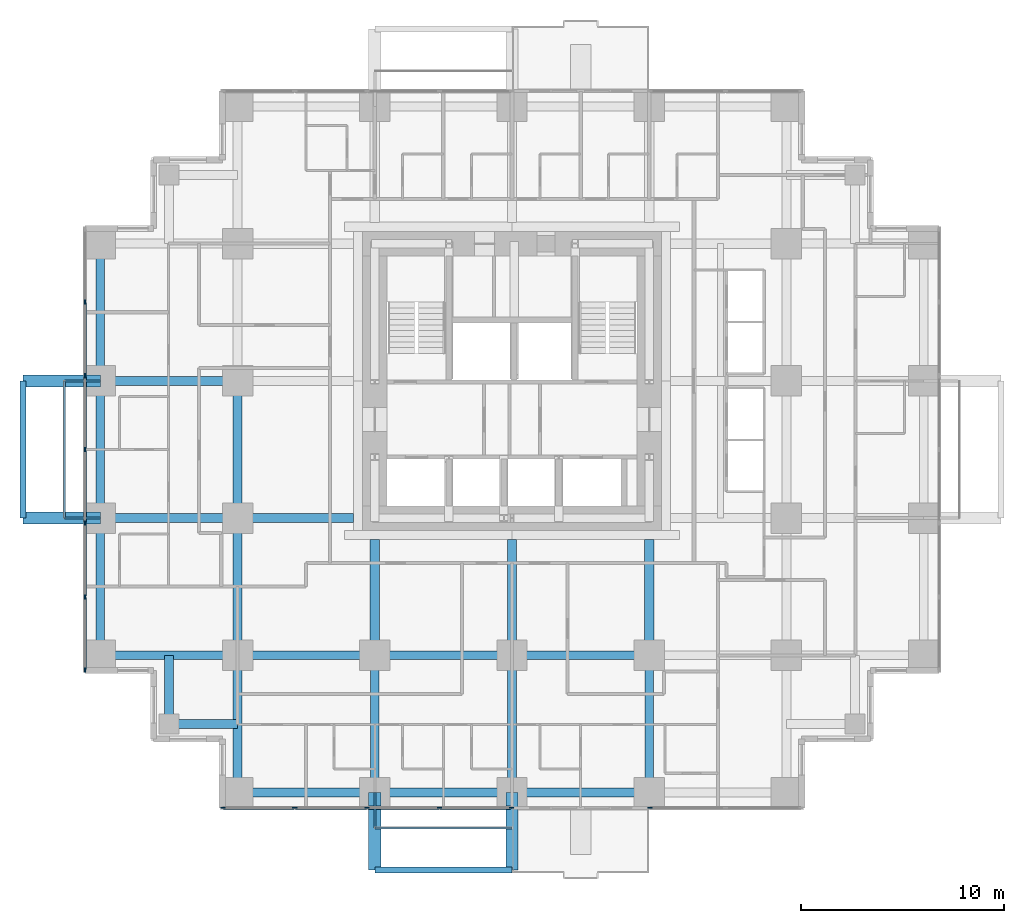
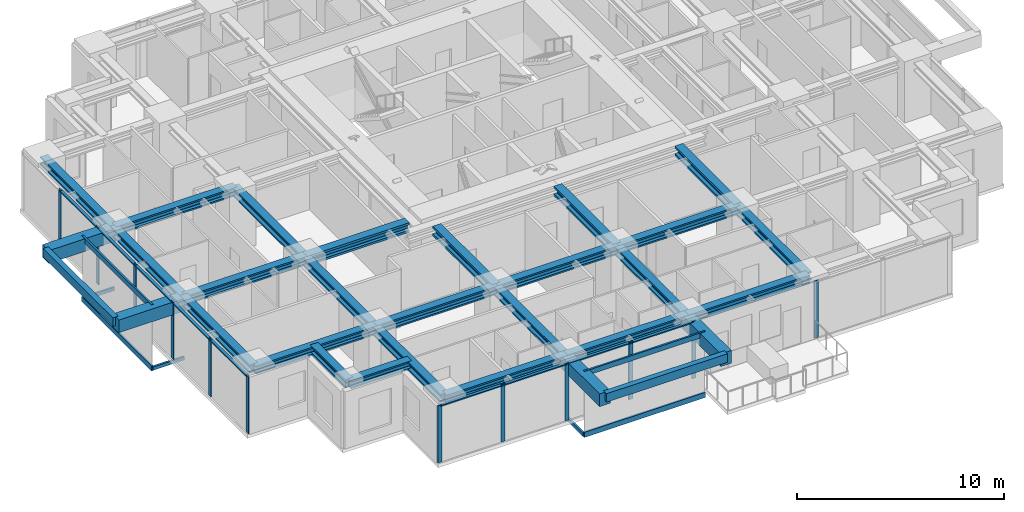
# One storey, part 2 of 12: 30 beams, 28 members, 3 elements without a shape of their own.
"""IFC4 building model written with IfcOpenShell, lengths in metres."""

from ifc_helpers import new_model, si_unit, direction, frame, origin, origin_2d, place, context, subcontext, project, spatial, rectangle, hollow_rectangle, i_section, extrude, material, material_profile, profile_set, type_object, element, aggregate, save


model = new_model("IFC4")

# Units and contexts
model_context = context("Model", 3, precision=1e-05, world=origin(), true_north=direction((0.0, 1.0)))
body_context = subcontext(model_context, "Body", "Model", "MODEL_VIEW")
ifc_project = project(units=[si_unit("LENGTHUNIT", "METRE"), si_unit("AREAUNIT", "SQUARE_METRE"), si_unit("VOLUMEUNIT", "CUBIC_METRE"), si_unit("PLANEANGLEUNIT", "RADIAN"), si_unit("MASSUNIT", "GRAM", prefix="KILO")], contexts=[model_context])

# Site, building, storey
site_placement = place(None, origin())
site = spatial("IfcSite", under=ifc_project, at=site_placement, CompositionType="ELEMENT")
building_placement = place(site_placement, origin())
building = spatial("IfcBuilding", under=site, at=building_placement, Name="Nyansa Garden Tower", CompositionType="ELEMENT")
storey_placement = place(building_placement, frame((0.0, 0.0, 119.699951171875)))
storey = spatial("IfcBuildingStorey", under=building, at=storey_placement, Name="L32", CompositionType="ELEMENT", Elevation=119.699951171875)

# Beams
ifc_material_1 = material(Name="Concrete C70/85", Category="concrete")
ifc_material_profile_1 = material_profile(ifc_material_1, rectangle(XDim=0.60009765625, YDim=0.75, at=origin_2d()), Name="RC 600x750")
ifc_profile_set_1 = profile_set([ifc_material_profile_1], Name="Concrete C70/85")
beam_type_1 = type_object("IfcBeamType", Name="Balcony cantilever beam CB1 RC 600x750", PredefinedType="BEAM", material=ifc_profile_set_1)
for number, where, z_axis, x_axis, name in (
    (1, (13.5, 0.0, 2.985107421875), (0.0, -1.0, 0.0), (1.0, 0.0, 0.0), "Balcony cantilever beam L33"),
    (2, (20.25, 0.0, 2.985107421875), (0.0, -1.0, 0.0), (1.0, 0.0, 0.0), "Balcony cantilever beam L33"),
    (3, (0.0, 13.5, 2.985107421875), (-1.0, 0.0, 0.0), (0.0, -1.0, 0.0), "Balcony cantilever beam L33"),
    (4, (0.0, 20.25, 2.985107421875), (-1.0, 0.0, 0.0), (0.0, -1.0, 0.0), "Balcony cantilever beam L33"),
):
    element("IfcBeam", number, at=place(storey_placement, frame(where, z_axis=z_axis, x_axis=x_axis)), inside=storey, type_object=beam_type_1, Name=name, PredefinedType="BEAM", context=body_context, shape_type="SweptSolid", body=[
        extrude(rectangle(XDim=0.60009765625, YDim=0.75, at=origin_2d()), origin(), (0.0, 0.0, 1.0), 3.800048828125),
    ])
ifc_material_2 = material(Name="Concrete C70/85", Category="concrete")
ifc_material_profile_2 = material_profile(ifc_material_2, rectangle(XDim=0.300048828125, YDim=0.5, at=origin_2d()), Name="RC 300x500")
ifc_profile_set_2 = profile_set([ifc_material_profile_2], Name="Concrete C70/85")
beam_type_2 = type_object("IfcBeamType", Name="Balcony edge beam BE1 RC 300x500", PredefinedType="BEAM", material=ifc_profile_set_2)
for number, where, z_axis, x_axis, name in (
    (5, (13.5, -3.800048828125, 3.110107421875), (1.0, 0.0, 0.0), (0.0, 1.0, 0.0), "Balcony edge beam L33"),
    (6, (-3.800048828125, 13.5, 3.110107421875), (0.0, 1.0, 0.0), (-1.0, 0.0, 0.0), "Balcony edge beam L33"),
):
    element("IfcBeam", number, at=place(storey_placement, frame(where, z_axis=z_axis, x_axis=x_axis)), inside=storey, type_object=beam_type_2, Name=name, PredefinedType="BEAM", context=body_context, shape_type="SweptSolid", body=[
        extrude(rectangle(XDim=0.300048828125, YDim=0.5, at=origin_2d()), origin(), (0.0, 0.0, 1.0), 6.75),
    ])

# Curtain wall, members
ifc_material_3 = material(Name="Black anodised aluminium, dark tinted double glazing", Category="aluminium")
curtain_wall_type = type_object("IfcCurtainWallType", Name="Inner skin curtain wall ISW-B", PredefinedType="USERDEFINED", material=ifc_material_3)
curtain_wall_1_placement = place(storey_placement, origin())
curtain_wall_1 = element("IfcCurtainWall", 7, at=curtain_wall_1_placement, inside=storey, type_object=curtain_wall_type, Name="Inner skin curtain wall L32 W", ObjectType="UNITISED CURTAIN WALL", PredefinedType="USERDEFINED")
ifc_material_4 = material(Name="Black anodised aluminium", Category="aluminium")
ifc_material_profile_3 = material_profile(ifc_material_4, rectangle(XDim=0.06494140625, YDim=0.22509765625, at=origin_2d()), Name="Mullion 225x65")
ifc_profile_set_3 = profile_set([ifc_material_profile_3], Name="Black anodised aluminium")
member_type_1 = type_object("IfcMemberType", Name="Mullion ISW-B 225x65", PredefinedType="MULLION", material=ifc_profile_set_3)
member_1_placement = place(storey_placement, frame((-0.75, 24.125, 0.0), z_axis=(0.0, 0.0, 1.0), x_axis=(1.0, 0.0, 0.0)))
member_1 = element("IfcMember", 8, at=member_1_placement, type_object=member_type_1, Name="ISW-B mullion 2", PredefinedType="MULLION", context=body_context, shape_type="SweptSolid", body=[
    extrude(rectangle(XDim=0.06494140625, YDim=0.22509765625, at=origin_2d()), origin(), (0.0, 0.0, 1.0), 3.375),
])
member_2_placement = place(storey_placement, frame((-0.75, 20.5, 0.0), z_axis=(0.0, 0.0, 1.0), x_axis=(1.0, 0.0, 0.0)))
member_2 = element("IfcMember", 9, at=member_2_placement, type_object=member_type_1, Name="ISW-B mullion 3", PredefinedType="MULLION", context=body_context, shape_type="SweptSolid", body=[
    extrude(rectangle(XDim=0.06494140625, YDim=0.22509765625, at=origin_2d()), origin(), (0.0, 0.0, 1.0), 3.375),
])
member_3_placement = place(storey_placement, frame((-0.75, 16.875, 0.0), z_axis=(0.0, 0.0, 1.0), x_axis=(1.0, 0.0, 0.0)))
member_3 = element("IfcMember", 10, at=member_3_placement, type_object=member_type_1, Name="ISW-B mullion 4", PredefinedType="MULLION", context=body_context, shape_type="SweptSolid", body=[
    extrude(rectangle(XDim=0.06494140625, YDim=0.22509765625, at=origin_2d()), origin(), (0.0, 0.0, 1.0), 3.375),
])
member_4_placement = place(storey_placement, frame((-0.75, 13.25, 0.0), z_axis=(0.0, 0.0, 1.0), x_axis=(1.0, 0.0, 0.0)))
member_4 = element("IfcMember", 11, at=member_4_placement, type_object=member_type_1, Name="ISW-B mullion 5", PredefinedType="MULLION", context=body_context, shape_type="SweptSolid", body=[
    extrude(rectangle(XDim=0.06494140625, YDim=0.22509765625, at=origin_2d()), origin(), (0.0, 0.0, 1.0), 3.375),
])
member_5_placement = place(storey_placement, frame((-0.75, 9.625, 0.0), z_axis=(0.0, 0.0, 1.0), x_axis=(1.0, 0.0, 0.0)))
member_5 = element("IfcMember", 12, at=member_5_placement, type_object=member_type_1, Name="ISW-B mullion 6", PredefinedType="MULLION", context=body_context, shape_type="SweptSolid", body=[
    extrude(rectangle(XDim=0.06494140625, YDim=0.22509765625, at=origin_2d()), origin(), (0.0, 0.0, 1.0), 3.375),
])
member_6_placement = place(storey_placement, frame((-0.75, 6.032470703125, 0.0), z_axis=(0.0, 0.0, 1.0), x_axis=(1.0, 0.0, 0.0)))
member_6 = element("IfcMember", 13, at=member_6_placement, type_object=member_type_1, Name="ISW-B mullion 7", PredefinedType="MULLION", context=body_context, shape_type="SweptSolid", body=[
    extrude(rectangle(XDim=0.06494140625, YDim=0.22509765625, at=origin_2d()), origin(), (0.0, 0.0, 1.0), 3.375),
])

curtain_wall_2_placement = place(storey_placement, origin())
curtain_wall_2 = element("IfcCurtainWall", 14, at=curtain_wall_2_placement, inside=storey, type_object=curtain_wall_type, Name="Inner skin curtain wall L32 S", ObjectType="UNITISED CURTAIN WALL", PredefinedType="USERDEFINED")
member_7_placement = place(storey_placement, frame((6.032470703125, -0.75, 0.0), z_axis=(0.0, 0.0, 1.0), x_axis=(0.0, 1.0, 0.0)))
member_7 = element("IfcMember", 15, at=member_7_placement, type_object=member_type_1, Name="ISW-B mullion 1", PredefinedType="MULLION", context=body_context, shape_type="SweptSolid", body=[
    extrude(rectangle(XDim=0.06494140625, YDim=0.22509765625, at=origin_2d()), origin(), (0.0, 0.0, 1.0), 3.375),
])
member_8_placement = place(storey_placement, frame((9.5625, -0.75, 0.0), z_axis=(0.0, 0.0, 1.0), x_axis=(0.0, 1.0, 0.0)))
member_8 = element("IfcMember", 16, at=member_8_placement, type_object=member_type_1, Name="ISW-B mullion 2", PredefinedType="MULLION", context=body_context, shape_type="SweptSolid", body=[
    extrude(rectangle(XDim=0.06494140625, YDim=0.22509765625, at=origin_2d()), origin(), (0.0, 0.0, 1.0), 3.375),
])
member_9_placement = place(storey_placement, frame((13.125, -0.75, 0.0), z_axis=(0.0, 0.0, 1.0), x_axis=(0.0, 1.0, 0.0)))
member_9 = element("IfcMember", 17, at=member_9_placement, type_object=member_type_1, Name="ISW-B mullion 3", PredefinedType="MULLION", context=body_context, shape_type="SweptSolid", body=[
    extrude(rectangle(XDim=0.06494140625, YDim=0.22509765625, at=origin_2d()), origin(), (0.0, 0.0, 1.0), 3.375),
])
member_10_placement = place(storey_placement, frame((16.6875, -0.75, 0.0), z_axis=(0.0, 0.0, 1.0), x_axis=(0.0, 1.0, 0.0)))
member_10 = element("IfcMember", 18, at=member_10_placement, type_object=member_type_1, Name="ISW-B mullion 4", PredefinedType="MULLION", context=body_context, shape_type="SweptSolid", body=[
    extrude(rectangle(XDim=0.06494140625, YDim=0.22509765625, at=origin_2d()), origin(), (0.0, 0.0, 1.0), 3.375),
])
member_11_placement = place(storey_placement, frame((20.217529296875, -0.75, 0.0), z_axis=(0.0, 0.0, 1.0), x_axis=(0.0, 1.0, 0.0)))
member_11 = element("IfcMember", 19, at=member_11_placement, type_object=member_type_1, Name="ISW-B mullion 5", PredefinedType="MULLION", context=body_context, shape_type="SweptSolid", body=[
    extrude(rectangle(XDim=0.06494140625, YDim=0.22509765625, at=origin_2d()), origin(), (0.0, 0.0, 1.0), 3.375),
])

# Curtain wall, member
curtain_wall_3_placement = place(storey_placement, origin())
curtain_wall_3 = element("IfcCurtainWall", 20, at=curtain_wall_3_placement, inside=storey, type_object=curtain_wall_type, Name="Inner skin curtain wall L32 S", ObjectType="UNITISED CURTAIN WALL", PredefinedType="USERDEFINED")
member_12_placement = place(storey_placement, frame((27.032470703125, -0.75, 0.0), z_axis=(0.0, 0.0, 1.0), x_axis=(0.0, 1.0, 0.0)))
member_12 = element("IfcMember", 21, at=member_12_placement, type_object=member_type_1, Name="ISW-B mullion 1", PredefinedType="MULLION", context=body_context, shape_type="SweptSolid", body=[
    extrude(rectangle(XDim=0.06494140625, YDim=0.22509765625, at=origin_2d()), origin(), (0.0, 0.0, 1.0), 3.375),
])
aggregate(curtain_wall_3, [member_12])

# Members
ifc_material_5 = material(Name="Steel S355, black powder coated", Category="steel")
ifc_material_profile_4 = material_profile(ifc_material_5, hollow_rectangle(XDim=0.10009765625, YDim=0.199951171875, WallThickness=0.008056640625, at=origin_2d()), Name="RHS 200x100x8")
ifc_profile_set_4 = profile_set([ifc_material_profile_4], Name="Steel S355, black powder coated")
member_type_2 = type_object("IfcMemberType", Name="Outer skin bracket arm RHS 200x100x8", PredefinedType="USERDEFINED", material=ifc_profile_set_4)
for number, where, z_axis, x_axis, name in (
    (22, (0.0, 13.5, -0.375), (-1.0, 0.0, 0.0), (0.0, -1.0, 0.0), "Outer skin bracket arm"),
    (23, (0.0, 20.25, -0.375), (-1.0, 0.0, 0.0), (0.0, -1.0, 0.0), "Outer skin bracket arm"),
    (24, (13.5, 0.0, -0.375), (0.0, -1.0, 0.0), (1.0, 0.0, 0.0), "Outer skin bracket arm"),
):
    element("IfcMember", number, at=place(storey_placement, frame(where, z_axis=z_axis, x_axis=x_axis)), inside=storey, type_object=member_type_2, Name=name, ObjectType="OUTER SKIN BRACKET", PredefinedType="USERDEFINED", context=body_context, shape_type="SweptSolid", body=[
        extrude(hollow_rectangle(XDim=0.10009765625, YDim=0.199951171875, WallThickness=0.008056640625, at=origin_2d()), origin(), (0.0, 0.0, 1.0), 1.75),
    ])
ifc_material_6 = material(Name="Steel S355, black powder coated", Category="steel")
ifc_material_profile_5 = material_profile(ifc_material_6, hollow_rectangle(XDim=0.10009765625, YDim=0.300048828125, WallThickness=0.010009765625, at=origin_2d()), Name="RHS 300x100x10")
ifc_profile_set_5 = profile_set([ifc_material_profile_5], Name="Steel S355, black powder coated")
member_type_3 = type_object("IfcMemberType", Name="Outer skin rail RHS 300x100x10", PredefinedType="USERDEFINED", material=ifc_profile_set_5)
for number, where, z_axis, x_axis, name in (
    (25, (-1.75, 13.5, -0.375), (0.0, 1.0, 0.0), (-1.0, 0.0, 0.0), "Outer skin rail L32"),
    (26, (-1.75, 13.5, 3.22509765625), (0.0, 1.0, 0.0), (-1.0, 0.0, 0.0), "Outer skin rail L32 head"),
    (27, (13.5, -1.75, -0.375), (1.0, 0.0, 0.0), (0.0, 1.0, 0.0), "Outer skin rail L32"),
    (28, (13.5, -1.75, 3.22509765625), (1.0, 0.0, 0.0), (0.0, 1.0, 0.0), "Outer skin rail L32 head"),
):
    element("IfcMember", number, at=place(storey_placement, frame(where, z_axis=z_axis, x_axis=x_axis)), inside=storey, type_object=member_type_3, Name=name, ObjectType="OUTER SKIN RAIL", PredefinedType="USERDEFINED", context=body_context, shape_type="SweptSolid", body=[
        extrude(hollow_rectangle(XDim=0.10009765625, YDim=0.300048828125, WallThickness=0.010009765625, at=origin_2d()), origin(), (0.0, 0.0, 1.0), 6.75),
    ])

# Beams
ifc_material_7 = material(Name="Steel S355", Category="steel")
ifc_material_profile_6 = material_profile(ifc_material_7, i_section(OverallWidth=0.431884765625, OverallDepth=0.498046875, WebThickness=0.0556640625, FlangeThickness=0.0888671875, FilletRadius=0.014892578125, at=origin_2d()), Name="HD 400x744")
ifc_profile_set_6 = profile_set([ifc_material_profile_6], Name="Steel S355")
beam_type_3 = type_object("IfcBeamType", Name="Steel beam SBB1-744 HD 400x744", PredefinedType="BEAM", material=ifc_profile_set_6)
for number, where, z_axis, x_axis, name in (
    (29, (0.0, 6.75, 3.1259765625), (1.0, 0.0, 0.0), (0.0, 1.0, 0.0), "Steel beam 2/E-3/E L33"),
    (30, (0.0, 13.5, 3.1259765625), (1.0, 0.0, 0.0), (0.0, 1.0, 0.0), "Steel beam 2/F-3/F L33"),
    (31, (0.0, 20.25, 3.1259765625), (1.0, 0.0, 0.0), (0.0, 1.0, 0.0), "Steel beam 2/G-3/G L33"),
    (32, (6.75, 0.0, 3.1259765625), (0.0, 1.0, 0.0), (-1.0, 0.0, 0.0), "Steel beam 3/D-3/E L33"),
    (33, (6.75, 6.75, 3.1259765625), (0.0, 1.0, 0.0), (-1.0, 0.0, 0.0), "Steel beam 3/E-3/F L33"),
    (34, (6.75, 6.75, 3.1259765625), (1.0, 0.0, 0.0), (0.0, 1.0, 0.0), "Steel beam 3/E-4/E L33"),
    (35, (6.75, 13.5, 3.1259765625), (0.0, 1.0, 0.0), (-1.0, 0.0, 0.0), "Steel beam 3/F-3/G L33"),
    (36, (13.5, 0.0, 3.1259765625), (0.0, 1.0, 0.0), (-1.0, 0.0, 0.0), "Steel beam 4/D-4/E L33"),
    (37, (13.5, 6.75, 3.1259765625), (1.0, 0.0, 0.0), (0.0, 1.0, 0.0), "Steel beam 4/E-5/E L33"),
    (38, (20.25, 0.0, 3.1259765625), (0.0, 1.0, 0.0), (-1.0, 0.0, 0.0), "Steel beam 5/D-5/E L33"),
    (39, (20.25, 6.75, 3.1259765625), (1.0, 0.0, 0.0), (0.0, 1.0, 0.0), "Steel beam 5/E-6/E L33"),
    (40, (27.0, 0.0, 3.1259765625), (0.0, 1.0, 0.0), (-1.0, 0.0, 0.0), "Steel beam 6/D-6/E L33"),
):
    element("IfcBeam", number, at=place(storey_placement, frame(where, z_axis=z_axis, x_axis=x_axis)), inside=storey, type_object=beam_type_3, Name=name, PredefinedType="BEAM", context=body_context, shape_type="SweptSolid", body=[
        extrude(i_section(OverallWidth=0.431884765625, OverallDepth=0.498046875, WebThickness=0.0556640625, FlangeThickness=0.0888671875, FilletRadius=0.014892578125, at=origin_2d()), origin(), (0.0, 0.0, 1.0), 6.75),
    ])
ifc_material_8 = material(Name="Steel S355", Category="steel")
ifc_material_profile_7 = material_profile(ifc_material_8, i_section(OverallWidth=0.4541015625, OverallDepth=0.569091796875, WebThickness=0.077880859375, FlangeThickness=0.125, FilletRadius=0.014892578125, at=origin_2d()), Name="HD 400x1086")
ifc_profile_set_7 = profile_set([ifc_material_profile_7], Name="Steel S355")
beam_type_4 = type_object("IfcBeamType", Name="Steel beam SCL-1086 HD 400x1086", PredefinedType="BEAM", material=ifc_profile_set_7)
for number, where, z_axis, x_axis, name in (
    (41, (6.75, 13.5, 3.090576171875), (1.0, 0.0, 0.0), (0.0, 1.0, 0.0), "Steel beam 3/F-12.450/F L33"),
    (42, (13.5, 6.75, 3.090576171875), (0.0, 1.0, 0.0), (-1.0, 0.0, 0.0), "Steel beam 4/E-4/12.450 L33"),
    (43, (20.25, 6.75, 3.090576171875), (0.0, 1.0, 0.0), (-1.0, 0.0, 0.0), "Steel beam 5/E-5/12.450 L33"),
    (44, (27.0, 6.75, 3.090576171875), (0.0, 1.0, 0.0), (-1.0, 0.0, 0.0), "Steel beam 6/E-6/12.450 L33"),
):
    element("IfcBeam", number, at=place(storey_placement, frame(where, z_axis=z_axis, x_axis=x_axis)), inside=storey, type_object=beam_type_4, Name=name, PredefinedType="BEAM", context=body_context, shape_type="SweptSolid", body=[
        extrude(i_section(OverallWidth=0.4541015625, OverallDepth=0.569091796875, WebThickness=0.077880859375, FlangeThickness=0.125, FilletRadius=0.014892578125, at=origin_2d()), origin(), (0.0, 0.0, 1.0), 5.699951171875),
    ])
ifc_material_9 = material(Name="Steel S355", Category="steel")
ifc_material_profile_8 = material_profile(ifc_material_9, i_section(OverallWidth=0.431884765625, OverallDepth=0.498046875, WebThickness=0.0556640625, FlangeThickness=0.0888671875, FilletRadius=0.014892578125, at=origin_2d()), Name="HD 400x744")
ifc_profile_set_8 = profile_set([ifc_material_profile_8], Name="Steel S355")
beam_type_5 = type_object("IfcBeamType", Name="Steel beam SEBB-744 HD 400x744", PredefinedType="BEAM", material=ifc_profile_set_8)
for number, where, z_axis, x_axis, name in (
    (45, (0.0, 6.75, 3.1259765625), (0.0, 1.0, 0.0), (-1.0, 0.0, 0.0), "Steel edge beam 2/E-2/F L33"),
    (46, (0.0, 13.5, 3.1259765625), (0.0, 1.0, 0.0), (-1.0, 0.0, 0.0), "Steel edge beam 2/F-2/G L33"),
    (47, (0.0, 20.25, 3.1259765625), (0.0, 1.0, 0.0), (-1.0, 0.0, 0.0), "Steel edge beam 2/G-2/H L33"),
    (48, (6.75, 0.0, 3.1259765625), (1.0, 0.0, 0.0), (0.0, 1.0, 0.0), "Steel edge beam 3/D-4/D L33"),
    (49, (13.5, 0.0, 3.1259765625), (1.0, 0.0, 0.0), (0.0, 1.0, 0.0), "Steel edge beam 4/D-5/D L33"),
    (50, (20.25, 0.0, 3.1259765625), (1.0, 0.0, 0.0), (0.0, 1.0, 0.0), "Steel edge beam 5/D-6/D L33"),
):
    element("IfcBeam", number, at=place(storey_placement, frame(where, z_axis=z_axis, x_axis=x_axis)), inside=storey, type_object=beam_type_5, Name=name, PredefinedType="BEAM", context=body_context, shape_type="SweptSolid", body=[
        extrude(i_section(OverallWidth=0.431884765625, OverallDepth=0.498046875, WebThickness=0.0556640625, FlangeThickness=0.0888671875, FilletRadius=0.014892578125, at=origin_2d()), origin(), (0.0, 0.0, 1.0), 6.75),
    ])
ifc_material_10 = material(Name="Steel S355", Category="steel")
ifc_material_profile_9 = material_profile(ifc_material_10, i_section(OverallWidth=0.431884765625, OverallDepth=0.498046875, WebThickness=0.0556640625, FlangeThickness=0.0888671875, FilletRadius=0.014892578125, at=origin_2d()), Name="HD 400x744")
ifc_profile_set_9 = profile_set([ifc_material_profile_9], Name="Steel S355")
beam_type_6 = type_object("IfcBeamType", Name="Steel beam SSB1-744 HD 400x744", PredefinedType="BEAM", material=ifc_profile_set_9)
for number, where, z_axis, x_axis, name in (
    (51, (3.375, 3.375, 3.1259765625), (0.0, 1.0, 0.0), (-1.0, 0.0, 0.0), "Steel step beam 3.375/3.375 L33"),
    (52, (3.375, 3.375, 3.1259765625), (1.0, 0.0, 0.0), (0.0, 1.0, 0.0), "Steel step beam 3.375/3.375 L33"),
):
    element("IfcBeam", number, at=place(storey_placement, frame(where, z_axis=z_axis, x_axis=x_axis)), inside=storey, type_object=beam_type_6, Name=name, PredefinedType="BEAM", context=body_context, shape_type="SweptSolid", body=[
        extrude(i_section(OverallWidth=0.431884765625, OverallDepth=0.498046875, WebThickness=0.0556640625, FlangeThickness=0.0888671875, FilletRadius=0.014892578125, at=origin_2d()), origin(), (0.0, 0.0, 1.0), 3.375),
    ])

# Member
ifc_material_11 = material(Name="Black anodised aluminium", Category="aluminium")
ifc_material_profile_10 = material_profile(ifc_material_11, rectangle(XDim=0.1650390625, YDim=0.06494140625, at=origin_2d()), Name="Transom 165x65")
ifc_profile_set_10 = profile_set([ifc_material_profile_10], Name="Black anodised aluminium")
member_type_4 = type_object("IfcMemberType", Name="Transom ISW-B 165x65", PredefinedType="USERDEFINED", material=ifc_profile_set_10)
member_13_placement = place(storey_placement, frame((-0.75, 24.092529296875, 3.342529296875), z_axis=(0.0, -1.0, 0.0), x_axis=(1.0, 0.0, 0.0)))
member_13 = element("IfcMember", 53, at=member_13_placement, type_object=member_type_4, Name="ISW-B transom 2", ObjectType="TRANSOM", PredefinedType="USERDEFINED", context=body_context, shape_type="SweptSolid", body=[
    extrude(rectangle(XDim=0.1650390625, YDim=0.06494140625, at=origin_2d()), origin(), (0.0, 0.0, 1.0), 3.56005859375),
])

member_14_placement = place(storey_placement, frame((-0.75, 20.467529296875, 3.342529296875), z_axis=(0.0, -1.0, 0.0), x_axis=(1.0, 0.0, 0.0)))
member_14 = element("IfcMember", 54, at=member_14_placement, type_object=member_type_4, Name="ISW-B transom 3", ObjectType="TRANSOM", PredefinedType="USERDEFINED", context=body_context, shape_type="SweptSolid", body=[
    extrude(rectangle(XDim=0.1650390625, YDim=0.06494140625, at=origin_2d()), origin(), (0.0, 0.0, 1.0), 3.56005859375),
])

member_15_placement = place(storey_placement, frame((-0.75, 16.842529296875, 3.342529296875), z_axis=(0.0, -1.0, 0.0), x_axis=(1.0, 0.0, 0.0)))
member_15 = element("IfcMember", 55, at=member_15_placement, type_object=member_type_4, Name="ISW-B transom 4", ObjectType="TRANSOM", PredefinedType="USERDEFINED", context=body_context, shape_type="SweptSolid", body=[
    extrude(rectangle(XDim=0.1650390625, YDim=0.06494140625, at=origin_2d()), origin(), (0.0, 0.0, 1.0), 3.56005859375),
])

member_16_placement = place(storey_placement, frame((-0.75, 13.217529296875, 3.342529296875), z_axis=(0.0, -1.0, 0.0), x_axis=(1.0, 0.0, 0.0)))
member_16 = element("IfcMember", 56, at=member_16_placement, type_object=member_type_4, Name="ISW-B transom 5", ObjectType="TRANSOM", PredefinedType="USERDEFINED", context=body_context, shape_type="SweptSolid", body=[
    extrude(rectangle(XDim=0.1650390625, YDim=0.06494140625, at=origin_2d()), origin(), (0.0, 0.0, 1.0), 3.56005859375),
])

member_17_placement = place(storey_placement, frame((-0.75, 9.592529296875, 3.342529296875), z_axis=(0.0, -1.0, 0.0), x_axis=(1.0, 0.0, 0.0)))
member_17 = element("IfcMember", 57, at=member_17_placement, type_object=member_type_4, Name="ISW-B transom 6", ObjectType="TRANSOM", PredefinedType="USERDEFINED", context=body_context, shape_type="SweptSolid", body=[
    extrude(rectangle(XDim=0.1650390625, YDim=0.06494140625, at=origin_2d()), origin(), (0.0, 0.0, 1.0), 3.527587890625),
])

aggregate(curtain_wall_1, [member_1, member_2, member_3, member_4, member_5, member_6, member_13, member_14, member_15, member_16, member_17])

member_18_placement = place(storey_placement, frame((6.06494140625, -0.75, 3.342529296875), z_axis=(1.0, 0.0, 0.0), x_axis=(0.0, 1.0, 0.0)))
member_18 = element("IfcMember", 58, at=member_18_placement, type_object=member_type_4, Name="ISW-B transom 1", ObjectType="TRANSOM", PredefinedType="USERDEFINED", context=body_context, shape_type="SweptSolid", body=[
    extrude(rectangle(XDim=0.1650390625, YDim=0.06494140625, at=origin_2d()), origin(), (0.0, 0.0, 1.0), 3.465087890625),
])

member_19_placement = place(storey_placement, frame((9.594970703125, -0.75, 3.342529296875), z_axis=(1.0, 0.0, 0.0), x_axis=(0.0, 1.0, 0.0)))
member_19 = element("IfcMember", 59, at=member_19_placement, type_object=member_type_4, Name="ISW-B transom 2", ObjectType="TRANSOM", PredefinedType="USERDEFINED", context=body_context, shape_type="SweptSolid", body=[
    extrude(rectangle(XDim=0.1650390625, YDim=0.06494140625, at=origin_2d()), origin(), (0.0, 0.0, 1.0), 3.49755859375),
])

member_20_placement = place(storey_placement, frame((13.157470703125, -0.75, 3.342529296875), z_axis=(1.0, 0.0, 0.0), x_axis=(0.0, 1.0, 0.0)))
member_20 = element("IfcMember", 60, at=member_20_placement, type_object=member_type_4, Name="ISW-B transom 3", ObjectType="TRANSOM", PredefinedType="USERDEFINED", context=body_context, shape_type="SweptSolid", body=[
    extrude(rectangle(XDim=0.1650390625, YDim=0.06494140625, at=origin_2d()), origin(), (0.0, 0.0, 1.0), 3.49755859375),
])

member_21_placement = place(storey_placement, frame((16.719970703125, -0.75, 3.342529296875), z_axis=(1.0, 0.0, 0.0), x_axis=(0.0, 1.0, 0.0)))
member_21 = element("IfcMember", 61, at=member_21_placement, type_object=member_type_4, Name="ISW-B transom 4", ObjectType="TRANSOM", PredefinedType="USERDEFINED", context=body_context, shape_type="SweptSolid", body=[
    extrude(rectangle(XDim=0.1650390625, YDim=0.06494140625, at=origin_2d()), origin(), (0.0, 0.0, 1.0), 3.465087890625),
])

aggregate(curtain_wall_2, [member_7, member_8, member_9, member_10, member_11, member_18, member_19, member_20, member_21])

save(model, "model.ifc")
